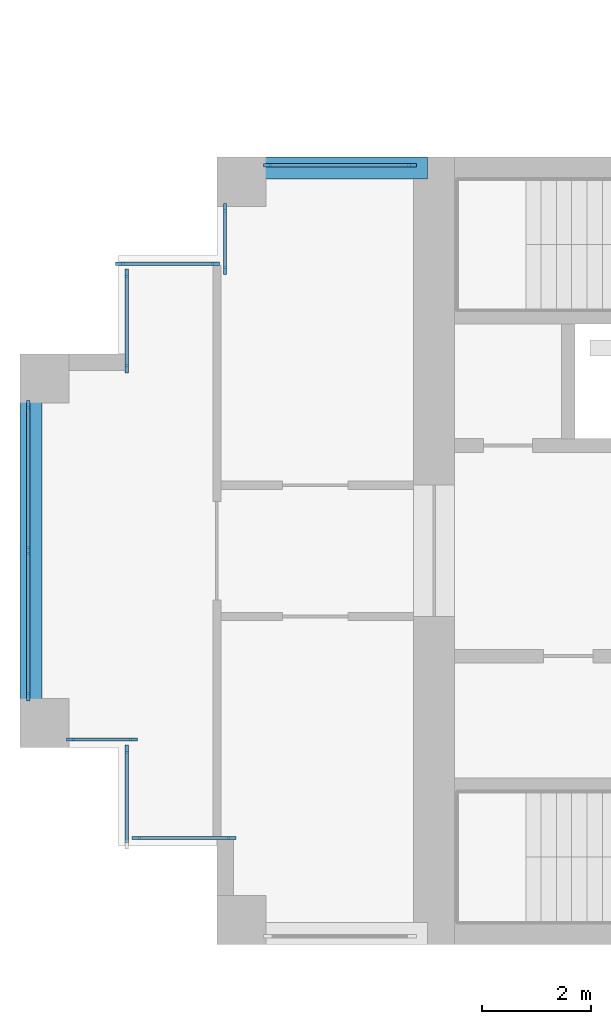
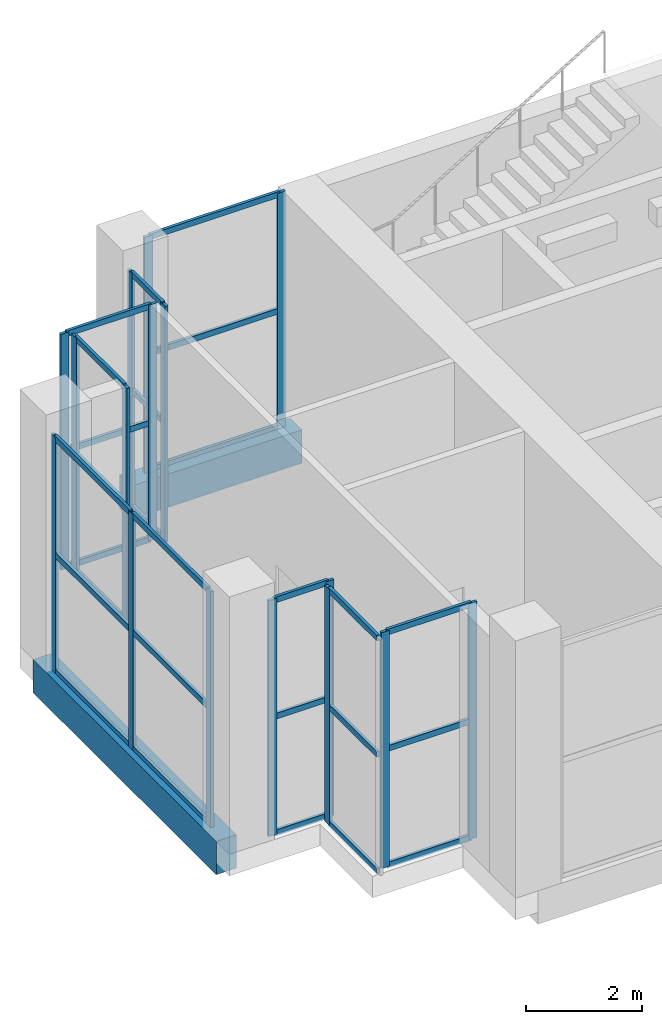
# One storey, part 3 of 13: 43 members, 2 beams, 8 elements without a shape of their own.
"""IFC4 building model written with IfcOpenShell, lengths in metres."""

from ifc_helpers import new_model, si_unit, direction, frame, origin, origin_2d, place, context, subcontext, project, spatial, rectangle, extrude, material, material_profile, profile_set, type_object, element, aggregate, save


model = new_model("IFC4")

# Units and contexts
model_context = context("Model", 3, precision=1e-05, world=origin(), true_north=direction((0.0, 1.0)))
body_context = subcontext(model_context, "Body", "Model", "MODEL_VIEW")
ifc_project = project(units=[si_unit("LENGTHUNIT", "METRE"), si_unit("AREAUNIT", "SQUARE_METRE"), si_unit("VOLUMEUNIT", "CUBIC_METRE"), si_unit("PLANEANGLEUNIT", "RADIAN"), si_unit("MASSUNIT", "GRAM", prefix="KILO")], contexts=[model_context])

# Site, building, storey
site_placement = place(None, origin())
site = spatial("IfcSite", under=ifc_project, at=site_placement, CompositionType="ELEMENT")
building_placement = place(site_placement, origin())
building = spatial("IfcBuilding", under=site, at=building_placement, Name="Fustian Cross Tower", CompositionType="ELEMENT")
storey_placement = place(building_placement, frame((0.0, 0.0, 242.10009765625)))
storey = spatial("IfcBuildingStorey", under=building, at=storey_placement, Name="L76", CompositionType="ELEMENT", Elevation=242.10009765625)

# Curtain wall, members
ifc_material_1 = material(Name="Glass", Category="glass")
curtain_wall_type = type_object("IfcCurtainWallType", Name="CW5 CURTAIN WALL", PredefinedType="NOTDEFINED", material=ifc_material_1)
curtain_wall_1_placement = place(storey_placement, origin())
curtain_wall_1 = element("IfcCurtainWall", 1, at=curtain_wall_1_placement, inside=storey, type_object=curtain_wall_type, Name="Curtain wall CW5", PredefinedType="NOTDEFINED")
ifc_material_2 = material(Name="Aluminium alloy 6063", Category="aluminium")
ifc_material_profile_1 = material_profile(ifc_material_2, rectangle(XDim=0.06005859375, YDim=0.159912109375, at=origin_2d()), Name="CW5 MULLION 60x160")
ifc_profile_set_1 = profile_set([ifc_material_profile_1], Name="Aluminium alloy 6063")
member_type_1 = type_object("IfcMemberType", Name="CW5 MULLION 60x160", PredefinedType="MULLION", material=ifc_profile_set_1)
member_1_placement = place(storey_placement, frame((-21.6298828125, 7.050048828125, 0.0), z_axis=(0.0, 0.0, 1.0), x_axis=(0.0, -1.0, 0.0)))
member_1 = element("IfcMember", 2, at=member_1_placement, type_object=member_type_1, Name="CW5 mullion 1", PredefinedType="MULLION", context=body_context, shape_type="SweptSolid", body=[
    extrude(rectangle(XDim=0.06005859375, YDim=0.159912109375, at=origin_2d()), origin(), (0.0, 0.0, 1.0), 4.949951171875),
])
member_2_placement = place(storey_placement, frame((-24.27001953125, 7.050048828125, 0.0), z_axis=(0.0, 0.0, 1.0), x_axis=(0.0, -1.0, 0.0)))
member_2 = element("IfcMember", 3, at=member_2_placement, type_object=member_type_1, Name="CW5 mullion 2", PredefinedType="MULLION", context=body_context, shape_type="SweptSolid", body=[
    extrude(rectangle(XDim=0.06005859375, YDim=0.159912109375, at=origin_2d()), origin(), (0.0, 0.0, 1.0), 4.949951171875),
])

curtain_wall_2_placement = place(storey_placement, origin())
curtain_wall_2 = element("IfcCurtainWall", 4, at=curtain_wall_2_placement, inside=storey, type_object=curtain_wall_type, Name="Curtain wall CW5", PredefinedType="NOTDEFINED")
member_3_placement = place(storey_placement, frame((-25.050048828125, 6.27001953125, 0.0), z_axis=(0.0, 0.0, 1.0), x_axis=(1.0, 0.0, 0.0)))
member_3 = element("IfcMember", 5, at=member_3_placement, type_object=member_type_1, Name="CW5 mullion 1", PredefinedType="MULLION", context=body_context, shape_type="SweptSolid", body=[
    extrude(rectangle(XDim=0.06005859375, YDim=0.159912109375, at=origin_2d()), origin(), (0.0, 0.0, 1.0), 4.949951171875),
])
member_4_placement = place(storey_placement, frame((-25.050048828125, 5.1298828125, 0.0), z_axis=(0.0, 0.0, 1.0), x_axis=(1.0, 0.0, 0.0)))
member_4 = element("IfcMember", 6, at=member_4_placement, type_object=member_type_1, Name="CW5 mullion 2", PredefinedType="MULLION", context=body_context, shape_type="SweptSolid", body=[
    extrude(rectangle(XDim=0.06005859375, YDim=0.159912109375, at=origin_2d()), origin(), (0.0, 0.0, 1.0), 4.949951171875),
])

curtain_wall_3_placement = place(storey_placement, origin())
curtain_wall_3 = element("IfcCurtainWall", 7, at=curtain_wall_3_placement, inside=storey, type_object=curtain_wall_type, Name="Curtain wall CW5", PredefinedType="NOTDEFINED")
member_5_placement = place(storey_placement, frame((-25.22998046875, 5.25, 0.0), z_axis=(0.0, 0.0, 1.0), x_axis=(0.0, -1.0, 0.0)))
member_5 = element("IfcMember", 8, at=member_5_placement, type_object=member_type_1, Name="CW5 mullion 1", PredefinedType="MULLION", context=body_context, shape_type="SweptSolid", body=[
    extrude(rectangle(XDim=0.06005859375, YDim=0.159912109375, at=origin_2d()), origin(), (0.0, 0.0, 1.0), 4.949951171875),
])
member_6_placement = place(storey_placement, frame((-26.969970703125, 5.25, 0.0), z_axis=(0.0, 0.0, 1.0), x_axis=(0.0, -1.0, 0.0)))
member_6 = element("IfcMember", 9, at=member_6_placement, type_object=member_type_1, Name="CW5 mullion 2", PredefinedType="MULLION", context=body_context, shape_type="SweptSolid", body=[
    extrude(rectangle(XDim=0.06005859375, YDim=0.159912109375, at=origin_2d()), origin(), (0.0, 0.0, 1.0), 4.949951171875),
])

curtain_wall_4_placement = place(storey_placement, origin())
curtain_wall_4 = element("IfcCurtainWall", 10, at=curtain_wall_4_placement, inside=storey, type_object=curtain_wall_type, Name="Curtain wall CW5", PredefinedType="NOTDEFINED")
member_7_placement = place(storey_placement, frame((-26.85009765625, 5.070068359375, 0.0), z_axis=(0.0, 0.0, 1.0), x_axis=(1.0, 0.0, 0.0)))
member_7 = element("IfcMember", 11, at=member_7_placement, type_object=member_type_1, Name="CW5 mullion 1", PredefinedType="MULLION", context=body_context, shape_type="SweptSolid", body=[
    extrude(rectangle(XDim=0.06005859375, YDim=0.159912109375, at=origin_2d()), origin(), (0.0, 0.0, 1.0), 4.949951171875),
])
member_8_placement = place(storey_placement, frame((-26.85009765625, 3.330078125, 0.0), z_axis=(0.0, 0.0, 1.0), x_axis=(1.0, 0.0, 0.0)))
member_8 = element("IfcMember", 12, at=member_8_placement, type_object=member_type_1, Name="CW5 mullion 2", PredefinedType="MULLION", context=body_context, shape_type="SweptSolid", body=[
    extrude(rectangle(XDim=0.06005859375, YDim=0.159912109375, at=origin_2d()), origin(), (0.0, 0.0, 1.0), 4.949951171875),
])

curtain_wall_5_placement = place(storey_placement, origin())
curtain_wall_5 = element("IfcCurtainWall", 13, at=curtain_wall_5_placement, inside=storey, type_object=curtain_wall_type, Name="Curtain wall CW5", PredefinedType="NOTDEFINED")
member_9_placement = place(storey_placement, frame((-28.64990234375, 2.669921875, 0.0), z_axis=(0.0, 0.0, 1.0), x_axis=(1.0, 0.0, 0.0)))
member_9 = element("IfcMember", 14, at=member_9_placement, type_object=member_type_1, Name="CW5 mullion 1", PredefinedType="MULLION", context=body_context, shape_type="SweptSolid", body=[
    extrude(rectangle(XDim=0.06005859375, YDim=0.159912109375, at=origin_2d()), origin(), (0.0, 0.0, 1.0), 4.949951171875),
])
member_10_placement = place(storey_placement, frame((-28.64990234375, 0.0, 0.0), z_axis=(0.0, 0.0, 1.0), x_axis=(1.0, 0.0, 0.0)))
member_10 = element("IfcMember", 15, at=member_10_placement, type_object=member_type_1, Name="CW5 mullion 2", PredefinedType="MULLION", context=body_context, shape_type="SweptSolid", body=[
    extrude(rectangle(XDim=0.06005859375, YDim=0.159912109375, at=origin_2d()), origin(), (0.0, 0.0, 1.0), 4.949951171875),
])
member_11_placement = place(storey_placement, frame((-28.64990234375, -2.669921875, 0.0), z_axis=(0.0, 0.0, 1.0), x_axis=(1.0, 0.0, 0.0)))
member_11 = element("IfcMember", 16, at=member_11_placement, type_object=member_type_1, Name="CW5 mullion 3", PredefinedType="MULLION", context=body_context, shape_type="SweptSolid", body=[
    extrude(rectangle(XDim=0.06005859375, YDim=0.159912109375, at=origin_2d()), origin(), (0.0, 0.0, 1.0), 4.949951171875),
])

curtain_wall_6_placement = place(storey_placement, origin())
curtain_wall_6 = element("IfcCurtainWall", 17, at=curtain_wall_6_placement, inside=storey, type_object=curtain_wall_type, Name="Curtain wall CW5", PredefinedType="NOTDEFINED")
member_12_placement = place(storey_placement, frame((-27.8701171875, -3.449951171875, 0.0), z_axis=(0.0, 0.0, 1.0), x_axis=(0.0, 1.0, 0.0)))
member_12 = element("IfcMember", 18, at=member_12_placement, type_object=member_type_1, Name="CW5 mullion 1", PredefinedType="MULLION", context=body_context, shape_type="SweptSolid", body=[
    extrude(rectangle(XDim=0.06005859375, YDim=0.159912109375, at=origin_2d()), origin(), (0.0, 0.0, 1.0), 4.949951171875),
])
member_13_placement = place(storey_placement, frame((-26.72998046875, -3.449951171875, 0.0), z_axis=(0.0, 0.0, 1.0), x_axis=(0.0, 1.0, 0.0)))
member_13 = element("IfcMember", 19, at=member_13_placement, type_object=member_type_1, Name="CW5 mullion 2", PredefinedType="MULLION", context=body_context, shape_type="SweptSolid", body=[
    extrude(rectangle(XDim=0.06005859375, YDim=0.159912109375, at=origin_2d()), origin(), (0.0, 0.0, 1.0), 4.949951171875),
])

# Curtain wall, member
curtain_wall_7_placement = place(storey_placement, origin())
curtain_wall_7 = element("IfcCurtainWall", 20, at=curtain_wall_7_placement, inside=storey, type_object=curtain_wall_type, Name="Curtain wall CW5", PredefinedType="NOTDEFINED")
member_14_placement = place(storey_placement, frame((-26.85009765625, -3.6298828125, 0.0), z_axis=(0.0, 0.0, 1.0), x_axis=(1.0, 0.0, 0.0)))
member_14 = element("IfcMember", 21, at=member_14_placement, type_object=member_type_1, Name="CW5 mullion 1", PredefinedType="MULLION", context=body_context, shape_type="SweptSolid", body=[
    extrude(rectangle(XDim=0.06005859375, YDim=0.159912109375, at=origin_2d()), origin(), (0.0, 0.0, 1.0), 4.949951171875),
])

# Curtain wall, members
curtain_wall_8_placement = place(storey_placement, origin())
curtain_wall_8 = element("IfcCurtainWall", 22, at=curtain_wall_8_placement, inside=storey, type_object=curtain_wall_type, Name="Curtain wall CW5", PredefinedType="NOTDEFINED")
member_15_placement = place(storey_placement, frame((-26.669921875, -5.25, 0.0), z_axis=(0.0, 0.0, 1.0), x_axis=(0.0, 1.0, 0.0)))
member_15 = element("IfcMember", 23, at=member_15_placement, type_object=member_type_1, Name="CW5 mullion 1", PredefinedType="MULLION", context=body_context, shape_type="SweptSolid", body=[
    extrude(rectangle(XDim=0.06005859375, YDim=0.159912109375, at=origin_2d()), origin(), (0.0, 0.0, 1.0), 4.949951171875),
])
member_16_placement = place(storey_placement, frame((-24.929931640625, -5.25, 0.0), z_axis=(0.0, 0.0, 1.0), x_axis=(0.0, 1.0, 0.0)))
member_16 = element("IfcMember", 24, at=member_16_placement, type_object=member_type_1, Name="CW5 mullion 2", PredefinedType="MULLION", context=body_context, shape_type="SweptSolid", body=[
    extrude(rectangle(XDim=0.06005859375, YDim=0.159912109375, at=origin_2d()), origin(), (0.0, 0.0, 1.0), 4.949951171875),
])

# Member
ifc_material_3 = material(Name="Aluminium alloy 6063", Category="aluminium")
ifc_material_profile_2 = material_profile(ifc_material_3, rectangle(XDim=0.06005859375, YDim=0.1201171875, at=origin_2d()), Name="CW5 TRANSOM 60x120")
ifc_profile_set_2 = profile_set([ifc_material_profile_2], Name="Aluminium alloy 6063")
member_type_2 = type_object("IfcMemberType", Name="CW5 TRANSOM 60x120", PredefinedType="USERDEFINED", material=ifc_profile_set_2)
member_17_placement = place(storey_placement, frame((-21.659912109375, 7.050048828125, 0.02978515625), z_axis=(-1.0, 0.0, 0.0), x_axis=(0.0, -1.0, 0.0)))
member_17 = element("IfcMember", 25, at=member_17_placement, type_object=member_type_2, Name="CW5 transom 1.1", ObjectType="TRANSOM", PredefinedType="USERDEFINED", context=body_context, shape_type="SweptSolid", body=[
    extrude(rectangle(XDim=0.06005859375, YDim=0.1201171875, at=origin_2d()), origin(), (0.0, 0.0, 1.0), 2.580078125),
])

member_18_placement = place(storey_placement, frame((-21.659912109375, 7.050048828125, 2.474853515625), z_axis=(-1.0, 0.0, 0.0), x_axis=(0.0, -1.0, 0.0)))
member_18 = element("IfcMember", 26, at=member_18_placement, type_object=member_type_2, Name="CW5 transom 1.2", ObjectType="TRANSOM", PredefinedType="USERDEFINED", context=body_context, shape_type="SweptSolid", body=[
    extrude(rectangle(XDim=0.06005859375, YDim=0.1201171875, at=origin_2d()), origin(), (0.0, 0.0, 1.0), 2.580078125),
])

member_19_placement = place(storey_placement, frame((-21.659912109375, 7.050048828125, 4.919921875), z_axis=(-1.0, 0.0, 0.0), x_axis=(0.0, -1.0, 0.0)))
member_19 = element("IfcMember", 27, at=member_19_placement, type_object=member_type_2, Name="CW5 transom 1.3", ObjectType="TRANSOM", PredefinedType="USERDEFINED", context=body_context, shape_type="SweptSolid", body=[
    extrude(rectangle(XDim=0.06005859375, YDim=0.1201171875, at=origin_2d()), origin(), (0.0, 0.0, 1.0), 2.580078125),
])

aggregate(curtain_wall_1, [member_1, member_2, member_17, member_18, member_19])

member_20_placement = place(storey_placement, frame((-25.050048828125, 6.239990234375, 0.02978515625), z_axis=(0.0, -1.0, 0.0), x_axis=(1.0, 0.0, 0.0)))
member_20 = element("IfcMember", 28, at=member_20_placement, type_object=member_type_2, Name="CW5 transom 1.1", ObjectType="TRANSOM", PredefinedType="USERDEFINED", context=body_context, shape_type="SweptSolid", body=[
    extrude(rectangle(XDim=0.06005859375, YDim=0.1201171875, at=origin_2d()), origin(), (0.0, 0.0, 1.0), 1.080078125),
])

member_21_placement = place(storey_placement, frame((-25.050048828125, 6.239990234375, 2.474853515625), z_axis=(0.0, -1.0, 0.0), x_axis=(1.0, 0.0, 0.0)))
member_21 = element("IfcMember", 29, at=member_21_placement, type_object=member_type_2, Name="CW5 transom 1.2", ObjectType="TRANSOM", PredefinedType="USERDEFINED", context=body_context, shape_type="SweptSolid", body=[
    extrude(rectangle(XDim=0.06005859375, YDim=0.1201171875, at=origin_2d()), origin(), (0.0, 0.0, 1.0), 1.080078125),
])

member_22_placement = place(storey_placement, frame((-25.050048828125, 6.239990234375, 4.919921875), z_axis=(0.0, -1.0, 0.0), x_axis=(1.0, 0.0, 0.0)))
member_22 = element("IfcMember", 30, at=member_22_placement, type_object=member_type_2, Name="CW5 transom 1.3", ObjectType="TRANSOM", PredefinedType="USERDEFINED", context=body_context, shape_type="SweptSolid", body=[
    extrude(rectangle(XDim=0.06005859375, YDim=0.1201171875, at=origin_2d()), origin(), (0.0, 0.0, 1.0), 1.080078125),
])

aggregate(curtain_wall_2, [member_3, member_4, member_20, member_21, member_22])

member_23_placement = place(storey_placement, frame((-25.260009765625, 5.25, 0.02978515625), z_axis=(-1.0, 0.0, 0.0), x_axis=(0.0, -1.0, 0.0)))
member_23 = element("IfcMember", 31, at=member_23_placement, type_object=member_type_2, Name="CW5 transom 1.1", ObjectType="TRANSOM", PredefinedType="USERDEFINED", context=body_context, shape_type="SweptSolid", body=[
    extrude(rectangle(XDim=0.06005859375, YDim=0.1201171875, at=origin_2d()), origin(), (0.0, 0.0, 1.0), 1.679931640625),
])

member_24_placement = place(storey_placement, frame((-25.260009765625, 5.25, 2.474853515625), z_axis=(-1.0, 0.0, 0.0), x_axis=(0.0, -1.0, 0.0)))
member_24 = element("IfcMember", 32, at=member_24_placement, type_object=member_type_2, Name="CW5 transom 1.2", ObjectType="TRANSOM", PredefinedType="USERDEFINED", context=body_context, shape_type="SweptSolid", body=[
    extrude(rectangle(XDim=0.06005859375, YDim=0.1201171875, at=origin_2d()), origin(), (0.0, 0.0, 1.0), 1.679931640625),
])

member_25_placement = place(storey_placement, frame((-25.260009765625, 5.25, 4.919921875), z_axis=(-1.0, 0.0, 0.0), x_axis=(0.0, -1.0, 0.0)))
member_25 = element("IfcMember", 33, at=member_25_placement, type_object=member_type_2, Name="CW5 transom 1.3", ObjectType="TRANSOM", PredefinedType="USERDEFINED", context=body_context, shape_type="SweptSolid", body=[
    extrude(rectangle(XDim=0.06005859375, YDim=0.1201171875, at=origin_2d()), origin(), (0.0, 0.0, 1.0), 1.679931640625),
])

aggregate(curtain_wall_3, [member_5, member_6, member_23, member_24, member_25])

member_26_placement = place(storey_placement, frame((-26.85009765625, 5.0400390625, 0.02978515625), z_axis=(0.0, -1.0, 0.0), x_axis=(1.0, 0.0, 0.0)))
member_26 = element("IfcMember", 34, at=member_26_placement, type_object=member_type_2, Name="CW5 transom 1.1", ObjectType="TRANSOM", PredefinedType="USERDEFINED", context=body_context, shape_type="SweptSolid", body=[
    extrude(rectangle(XDim=0.06005859375, YDim=0.1201171875, at=origin_2d()), origin(), (0.0, 0.0, 1.0), 1.679931640625),
])

member_27_placement = place(storey_placement, frame((-26.85009765625, 5.0400390625, 2.474853515625), z_axis=(0.0, -1.0, 0.0), x_axis=(1.0, 0.0, 0.0)))
member_27 = element("IfcMember", 35, at=member_27_placement, type_object=member_type_2, Name="CW5 transom 1.2", ObjectType="TRANSOM", PredefinedType="USERDEFINED", context=body_context, shape_type="SweptSolid", body=[
    extrude(rectangle(XDim=0.06005859375, YDim=0.1201171875, at=origin_2d()), origin(), (0.0, 0.0, 1.0), 1.679931640625),
])

member_28_placement = place(storey_placement, frame((-26.85009765625, 5.0400390625, 4.919921875), z_axis=(0.0, -1.0, 0.0), x_axis=(1.0, 0.0, 0.0)))
member_28 = element("IfcMember", 36, at=member_28_placement, type_object=member_type_2, Name="CW5 transom 1.3", ObjectType="TRANSOM", PredefinedType="USERDEFINED", context=body_context, shape_type="SweptSolid", body=[
    extrude(rectangle(XDim=0.06005859375, YDim=0.1201171875, at=origin_2d()), origin(), (0.0, 0.0, 1.0), 1.679931640625),
])

aggregate(curtain_wall_4, [member_7, member_8, member_26, member_27, member_28])

member_29_placement = place(storey_placement, frame((-28.64990234375, 2.639892578125, 0.02978515625), z_axis=(0.0, -1.0, 0.0), x_axis=(1.0, 0.0, 0.0)))
member_29 = element("IfcMember", 37, at=member_29_placement, type_object=member_type_2, Name="CW5 transom 1.1", ObjectType="TRANSOM", PredefinedType="USERDEFINED", context=body_context, shape_type="SweptSolid", body=[
    extrude(rectangle(XDim=0.06005859375, YDim=0.1201171875, at=origin_2d()), origin(), (0.0, 0.0, 1.0), 2.60986328125),
])

member_30_placement = place(storey_placement, frame((-28.64990234375, 2.639892578125, 2.474853515625), z_axis=(0.0, -1.0, 0.0), x_axis=(1.0, 0.0, 0.0)))
member_30 = element("IfcMember", 38, at=member_30_placement, type_object=member_type_2, Name="CW5 transom 1.2", ObjectType="TRANSOM", PredefinedType="USERDEFINED", context=body_context, shape_type="SweptSolid", body=[
    extrude(rectangle(XDim=0.06005859375, YDim=0.1201171875, at=origin_2d()), origin(), (0.0, 0.0, 1.0), 2.60986328125),
])

member_31_placement = place(storey_placement, frame((-28.64990234375, 2.639892578125, 4.919921875), z_axis=(0.0, -1.0, 0.0), x_axis=(1.0, 0.0, 0.0)))
member_31 = element("IfcMember", 39, at=member_31_placement, type_object=member_type_2, Name="CW5 transom 1.3", ObjectType="TRANSOM", PredefinedType="USERDEFINED", context=body_context, shape_type="SweptSolid", body=[
    extrude(rectangle(XDim=0.06005859375, YDim=0.1201171875, at=origin_2d()), origin(), (0.0, 0.0, 1.0), 2.60986328125),
])

member_32_placement = place(storey_placement, frame((-28.64990234375, -0.030029296875, 0.02978515625), z_axis=(0.0, -1.0, 0.0), x_axis=(1.0, 0.0, 0.0)))
member_32 = element("IfcMember", 40, at=member_32_placement, type_object=member_type_2, Name="CW5 transom 2.1", ObjectType="TRANSOM", PredefinedType="USERDEFINED", context=body_context, shape_type="SweptSolid", body=[
    extrude(rectangle(XDim=0.06005859375, YDim=0.1201171875, at=origin_2d()), origin(), (0.0, 0.0, 1.0), 2.60986328125),
])

member_33_placement = place(storey_placement, frame((-28.64990234375, -0.030029296875, 2.474853515625), z_axis=(0.0, -1.0, 0.0), x_axis=(1.0, 0.0, 0.0)))
member_33 = element("IfcMember", 41, at=member_33_placement, type_object=member_type_2, Name="CW5 transom 2.2", ObjectType="TRANSOM", PredefinedType="USERDEFINED", context=body_context, shape_type="SweptSolid", body=[
    extrude(rectangle(XDim=0.06005859375, YDim=0.1201171875, at=origin_2d()), origin(), (0.0, 0.0, 1.0), 2.60986328125),
])

member_34_placement = place(storey_placement, frame((-28.64990234375, -0.030029296875, 4.919921875), z_axis=(0.0, -1.0, 0.0), x_axis=(1.0, 0.0, 0.0)))
member_34 = element("IfcMember", 42, at=member_34_placement, type_object=member_type_2, Name="CW5 transom 2.3", ObjectType="TRANSOM", PredefinedType="USERDEFINED", context=body_context, shape_type="SweptSolid", body=[
    extrude(rectangle(XDim=0.06005859375, YDim=0.1201171875, at=origin_2d()), origin(), (0.0, 0.0, 1.0), 2.60986328125),
])

aggregate(curtain_wall_5, [member_9, member_10, member_11, member_29, member_30, member_31, member_32, member_33, member_34])

member_35_placement = place(storey_placement, frame((-27.840087890625, -3.449951171875, 0.02978515625), z_axis=(1.0, 0.0, 0.0), x_axis=(0.0, 1.0, 0.0)))
member_35 = element("IfcMember", 43, at=member_35_placement, type_object=member_type_2, Name="CW5 transom 1.1", ObjectType="TRANSOM", PredefinedType="USERDEFINED", context=body_context, shape_type="SweptSolid", body=[
    extrude(rectangle(XDim=0.06005859375, YDim=0.1201171875, at=origin_2d()), origin(), (0.0, 0.0, 1.0), 1.080078125),
])

member_36_placement = place(storey_placement, frame((-27.840087890625, -3.449951171875, 2.474853515625), z_axis=(1.0, 0.0, 0.0), x_axis=(0.0, 1.0, 0.0)))
member_36 = element("IfcMember", 44, at=member_36_placement, type_object=member_type_2, Name="CW5 transom 1.2", ObjectType="TRANSOM", PredefinedType="USERDEFINED", context=body_context, shape_type="SweptSolid", body=[
    extrude(rectangle(XDim=0.06005859375, YDim=0.1201171875, at=origin_2d()), origin(), (0.0, 0.0, 1.0), 1.080078125),
])

member_37_placement = place(storey_placement, frame((-27.840087890625, -3.449951171875, 4.919921875), z_axis=(1.0, 0.0, 0.0), x_axis=(0.0, 1.0, 0.0)))
member_37 = element("IfcMember", 45, at=member_37_placement, type_object=member_type_2, Name="CW5 transom 1.3", ObjectType="TRANSOM", PredefinedType="USERDEFINED", context=body_context, shape_type="SweptSolid", body=[
    extrude(rectangle(XDim=0.06005859375, YDim=0.1201171875, at=origin_2d()), origin(), (0.0, 0.0, 1.0), 1.080078125),
])

aggregate(curtain_wall_6, [member_12, member_13, member_35, member_36, member_37])

member_38_placement = place(storey_placement, frame((-26.85009765625, -3.659912109375, 0.02978515625), z_axis=(0.0, -1.0, 0.0), x_axis=(1.0, 0.0, 0.0)))
member_38 = element("IfcMember", 46, at=member_38_placement, type_object=member_type_2, Name="CW5 transom 1.1", ObjectType="TRANSOM", PredefinedType="USERDEFINED", context=body_context, shape_type="SweptSolid", body=[
    extrude(rectangle(XDim=0.06005859375, YDim=0.1201171875, at=origin_2d()), origin(), (0.0, 0.0, 1.0), 1.68017578125),
])

member_39_placement = place(storey_placement, frame((-26.85009765625, -3.659912109375, 2.474853515625), z_axis=(0.0, -1.0, 0.0), x_axis=(1.0, 0.0, 0.0)))
member_39 = element("IfcMember", 47, at=member_39_placement, type_object=member_type_2, Name="CW5 transom 1.2", ObjectType="TRANSOM", PredefinedType="USERDEFINED", context=body_context, shape_type="SweptSolid", body=[
    extrude(rectangle(XDim=0.06005859375, YDim=0.1201171875, at=origin_2d()), origin(), (0.0, 0.0, 1.0), 1.68017578125),
])

member_40_placement = place(storey_placement, frame((-26.85009765625, -3.659912109375, 4.919921875), z_axis=(0.0, -1.0, 0.0), x_axis=(1.0, 0.0, 0.0)))
member_40 = element("IfcMember", 48, at=member_40_placement, type_object=member_type_2, Name="CW5 transom 1.3", ObjectType="TRANSOM", PredefinedType="USERDEFINED", context=body_context, shape_type="SweptSolid", body=[
    extrude(rectangle(XDim=0.06005859375, YDim=0.1201171875, at=origin_2d()), origin(), (0.0, 0.0, 1.0), 1.68017578125),
])

aggregate(curtain_wall_7, [member_14, member_38, member_39, member_40])

member_41_placement = place(storey_placement, frame((-26.639892578125, -5.25, 0.02978515625), z_axis=(1.0, 0.0, 0.0), x_axis=(0.0, 1.0, 0.0)))
member_41 = element("IfcMember", 49, at=member_41_placement, type_object=member_type_2, Name="CW5 transom 1.1", ObjectType="TRANSOM", PredefinedType="USERDEFINED", context=body_context, shape_type="SweptSolid", body=[
    extrude(rectangle(XDim=0.06005859375, YDim=0.1201171875, at=origin_2d()), origin(), (0.0, 0.0, 1.0), 1.679931640625),
])

member_42_placement = place(storey_placement, frame((-26.639892578125, -5.25, 2.474853515625), z_axis=(1.0, 0.0, 0.0), x_axis=(0.0, 1.0, 0.0)))
member_42 = element("IfcMember", 50, at=member_42_placement, type_object=member_type_2, Name="CW5 transom 1.2", ObjectType="TRANSOM", PredefinedType="USERDEFINED", context=body_context, shape_type="SweptSolid", body=[
    extrude(rectangle(XDim=0.06005859375, YDim=0.1201171875, at=origin_2d()), origin(), (0.0, 0.0, 1.0), 1.679931640625),
])

member_43_placement = place(storey_placement, frame((-26.639892578125, -5.25, 4.919921875), z_axis=(1.0, 0.0, 0.0), x_axis=(0.0, 1.0, 0.0)))
member_43 = element("IfcMember", 51, at=member_43_placement, type_object=member_type_2, Name="CW5 transom 1.3", ObjectType="TRANSOM", PredefinedType="USERDEFINED", context=body_context, shape_type="SweptSolid", body=[
    extrude(rectangle(XDim=0.06005859375, YDim=0.1201171875, at=origin_2d()), origin(), (0.0, 0.0, 1.0), 1.679931640625),
])

aggregate(curtain_wall_8, [member_15, member_16, member_41, member_42, member_43])

# Beams
ifc_material_4 = material(Name="Concrete C50/60", Category="concrete")
ifc_material_profile_3 = material_profile(ifc_material_4, rectangle(XDim=0.39990234375, YDim=0.699951171875, at=origin_2d()), Name="RC 400x700")
ifc_profile_set_3 = profile_set([ifc_material_profile_3], Name="Concrete C50/60")
beam_type = type_object("IfcBeamType", Name="EDGE BEAM RC 400x700 C50/60", PredefinedType="SPANDREL", material=ifc_profile_set_3)
beam_1_placement = place(storey_placement, frame((-21.35009765625, 7.0, -0.35009765625), z_axis=(-1.0, 0.0, 0.0), x_axis=(0.0, -1.0, 0.0)))
element("IfcBeam", 52, at=beam_1_placement, inside=storey, type_object=beam_type, Name="EDGE BEAM L76-09", PredefinedType="SPANDREL", context=body_context, shape_type="SweptSolid", body=[
    extrude(rectangle(XDim=0.39990234375, YDim=0.699951171875, at=origin_2d()), origin(), (0.0, 0.0, 1.0), 3.39990234375),
])
beam_2_placement = place(storey_placement, frame((-28.60009765625, 3.14990234375, -0.35009765625), z_axis=(0.0, -1.0, 0.0), x_axis=(1.0, 0.0, 0.0)))
element("IfcBeam", 53, at=beam_2_placement, inside=storey, type_object=beam_type, Name="EDGE BEAM L76-10", PredefinedType="SPANDREL", context=body_context, shape_type="SweptSolid", body=[
    extrude(rectangle(XDim=0.39990234375, YDim=0.699951171875, at=origin_2d()), origin(), (0.0, 0.0, 1.0), 6.2998046875),
])

save(model, "model.ifc")
